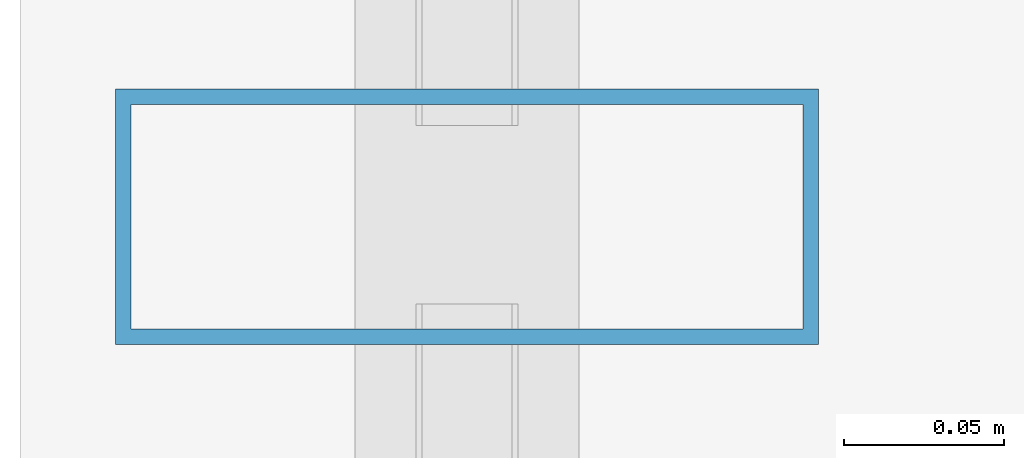
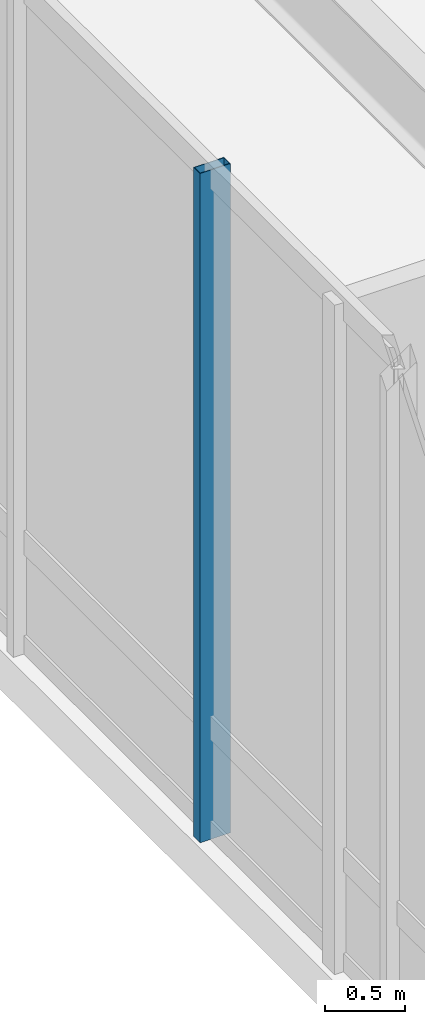
# One storey, part 12 of 35: 1 member, 1 element without a shape of its own.
"""IFC4 building model written with IfcOpenShell, lengths in metres."""

from ifc_helpers import new_model, si_unit, direction, frame, origin, origin_2d, place, context, subcontext, project, spatial, hollow_rectangle, extrude, material, layer, layer_set, material_profile, profile_set, type_object, element, aggregate, save


model = new_model("IFC4")

# Units and contexts
model_context = context("Model", 3, precision=1e-05, world=origin(), true_north=direction((0.0, 1.0)))
body_context = subcontext(model_context, "Body", "Model", "MODEL_VIEW")
ifc_project = project(units=[si_unit("LENGTHUNIT", "METRE"), si_unit("AREAUNIT", "SQUARE_METRE"), si_unit("VOLUMEUNIT", "CUBIC_METRE"), si_unit("PLANEANGLEUNIT", "RADIAN"), si_unit("MASSUNIT", "GRAM", prefix="KILO")], contexts=[model_context])

# Site, building, storey
site_placement = place(None, origin())
site = spatial("IfcSite", under=ifc_project, at=site_placement, CompositionType="ELEMENT")
building_placement = place(site_placement, origin())
building = spatial("IfcBuilding", under=site, at=building_placement, Name="Hatsunagi Terrace Concourse", CompositionType="ELEMENT")
storey_placement = place(building_placement, frame((0.0, 0.0, 10.800048828125)))
storey = spatial("IfcBuildingStorey", under=building, at=storey_placement, Name="L03", CompositionType="ELEMENT", Elevation=10.800048828125)

# Curtain wall, member
ifc_material_1 = material(Name="Anodised Aluminium Alloy 6063-T5", Category="aluminium")
ifc_layer = layer(ifc_material_1, 0.199951171875)
ifc_layer_set = layer_set([ifc_layer], Name="PodiumStorefront_CW01")
curtain_wall_type = type_object("IfcCurtainWallType", Name="PodiumStorefront_CW01", PredefinedType="NOTDEFINED", material=ifc_layer_set)
curtain_wall_placement = place(storey_placement, origin())
curtain_wall = element("IfcCurtainWall", 1, at=curtain_wall_placement, inside=storey, type_object=curtain_wall_type, Name="Unitised Curtain Wall CW-01 CW-L03-10", PredefinedType="NOTDEFINED")
ifc_material_2 = material(Name="Anodised Aluminium Alloy 6063-T5", Category="aluminium")
ifc_material_profile = material_profile(ifc_material_2, hollow_rectangle(XDim=0.080078125, YDim=0.219970703125, WallThickness=0.0048828125, at=origin_2d()), Name="ALU-MUL-220x80x5")
ifc_profile_set = profile_set([ifc_material_profile], Name="Anodised Aluminium Alloy 6063-T5")
member_type = type_object("IfcMemberType", Name="CurtainWallMullion_Heavy_220x80", PredefinedType="MULLION", material=ifc_profile_set)
member_placement = place(storey_placement, frame((0.139892578125, 39.827880859375, 0.0), z_axis=(0.0, 0.0, 1.0), x_axis=(0.0, 1.0, 0.0)))
member = element("IfcMember", 2, at=member_placement, type_object=member_type, Name="Curtain Wall Mullion MUL-01", PredefinedType="MULLION", context=body_context, shape_type="SweptSolid", body=[
    extrude(hollow_rectangle(XDim=0.080078125, YDim=0.219970703125, WallThickness=0.0048828125, at=origin_2d()), origin(), (0.0, 0.0, 1.0), 5.099853515625),
])
aggregate(curtain_wall, [member])

save(model, "model.ifc")
